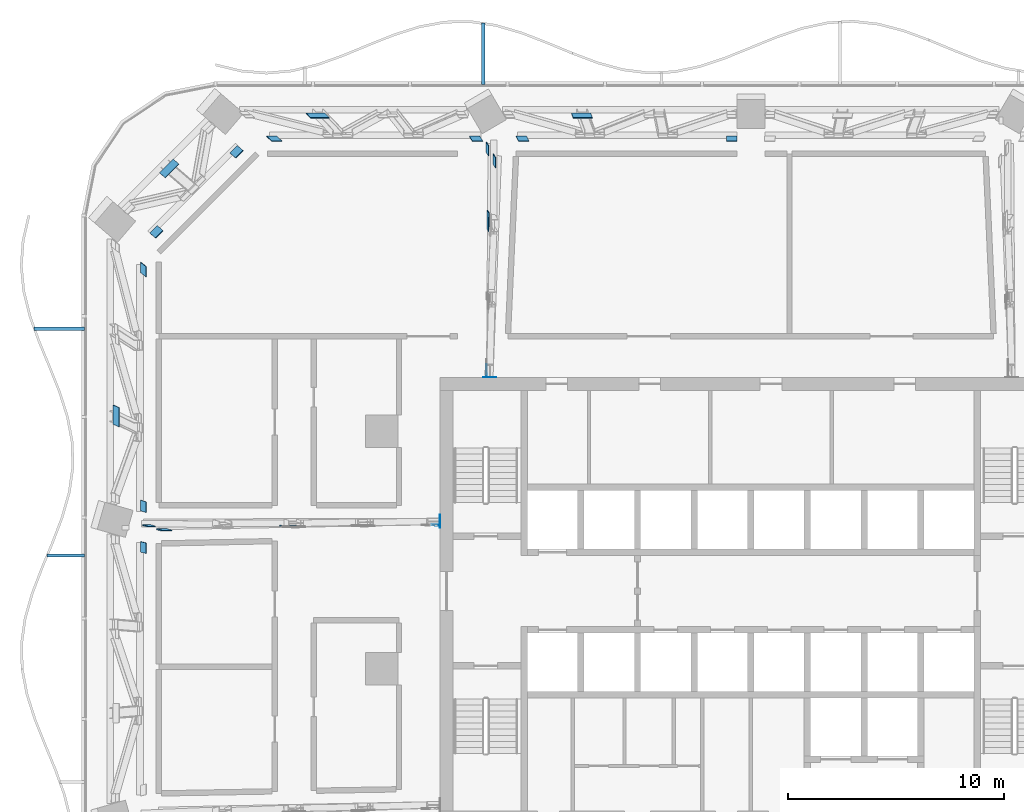
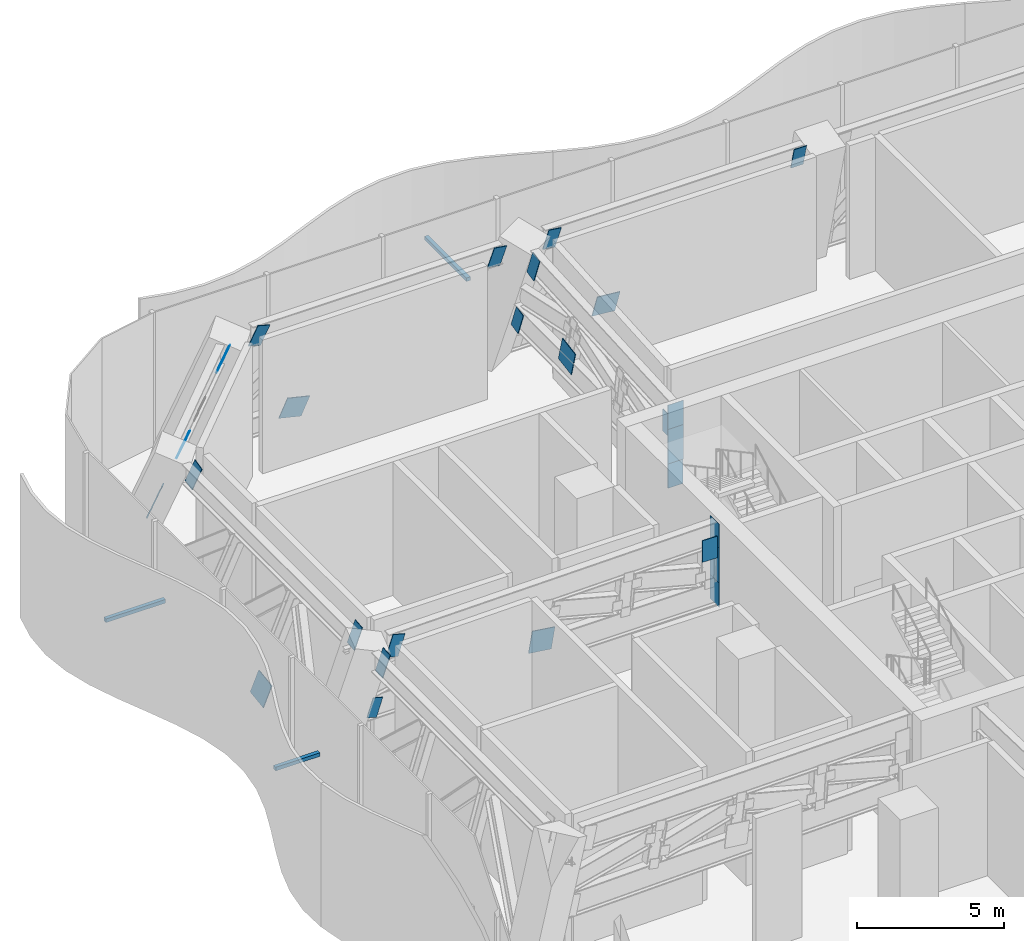
# One storey, part 17 of 32: 30 discrete accessories.
"""IFC4 building model written with IfcOpenShell, lengths in metres."""

from ifc_helpers import new_model, si_unit, direction, frame, origin, origin_2d, place, context, subcontext, project, spatial, rectangle, extrude, material, layer, layer_set, type_object, element, save


model = new_model("IFC4")

# Units and contexts
model_context = context("Model", 3, precision=1e-05, world=origin(), true_north=direction((0.0, 1.0)))
body_context = subcontext(model_context, "Body", "Model", "MODEL_VIEW")
ifc_project = project(units=[si_unit("LENGTHUNIT", "METRE"), si_unit("AREAUNIT", "SQUARE_METRE"), si_unit("VOLUMEUNIT", "CUBIC_METRE"), si_unit("PLANEANGLEUNIT", "RADIAN"), si_unit("MASSUNIT", "GRAM", prefix="KILO")], contexts=[model_context])

# Site, building, storey
site_placement = place(None, origin())
site = spatial("IfcSite", under=ifc_project, at=site_placement, CompositionType="ELEMENT")
building_placement = place(site_placement, origin())
building = spatial("IfcBuilding", under=site, at=building_placement, Name="Mopane Tessera Tower", CompositionType="ELEMENT")
storey_placement = place(building_placement, frame((0.0, 0.0, 88.60009765625)))
storey = spatial("IfcBuildingStorey", under=building, at=storey_placement, Name="L17", CompositionType="ELEMENT", Elevation=88.60009765625)

# Discrete accessories
ifc_material_1 = material(Name="Structural steel S460", Category="steel")
ifc_layer_1 = layer(ifc_material_1, 0.014892578125)
ifc_layer_set_1 = layer_set([ifc_layer_1], Name="Structural steel S460")
discrete_accessory_type_1 = type_object("IfcDiscreteAccessoryType", Name="Cast-in anchor plate 15 mm", PredefinedType="ANCHORPLATE", material=ifc_layer_set_1)
discrete_accessory_1_placement = place(storey_placement, frame((-14.407470703125, 6.824951171875, 2.099853515625), z_axis=(0.0, 0.0, 1.0), x_axis=(-1.0, 0.0, 0.0)))
element("IfcDiscreteAccessory", 1, at=discrete_accessory_1_placement, inside=storey, type_object=discrete_accessory_type_1, Name="Cast-in anchor plate s ot L17 W1 b", PredefinedType="ANCHORPLATE", context=body_context, shape_type="SweptSolid", body=[
    extrude(rectangle(XDim=0.014892578125, YDim=0.60205078125, at=origin_2d()), origin(), (0.0, 0.0, 1.0), 1.008056640625),
])
discrete_accessory_2_placement = place(storey_placement, frame((-14.407470703125, 6.82470703125, 4.5419921875), z_axis=(0.0, 0.0, 1.0), x_axis=(-1.0, 0.0, 0.0)))
element("IfcDiscreteAccessory", 2, at=discrete_accessory_2_placement, inside=storey, type_object=discrete_accessory_type_1, Name="Cast-in anchor plate s ot L17 W1 t", PredefinedType="ANCHORPLATE", context=body_context, shape_type="SweptSolid", body=[
    extrude(rectangle(XDim=0.014892578125, YDim=0.60205078125, at=origin_2d()), origin(), (0.0, 0.0, 1.0), 1.0078125),
])
discrete_accessory_3_placement = place(storey_placement, frame((-14.407470703125, 6.824951171875, 3.10791015625), z_axis=(0.0, 0.0, 1.0), x_axis=(-1.0, 0.0, 0.0)))
element("IfcDiscreteAccessory", 3, at=discrete_accessory_3_placement, inside=storey, type_object=discrete_accessory_type_1, Name="Cast-in anchor plate s ot L17 W1 p", PredefinedType="ANCHORPLATE", context=body_context, shape_type="SweptSolid", body=[
    extrude(rectangle(XDim=0.014892578125, YDim=0.60205078125, at=origin_2d()), origin(), (0.0, 0.0, 1.0), 1.43408203125),
])
discrete_accessory_4_placement = place(storey_placement, frame((-12.093505859375, 13.507568359375, 2.099853515625), z_axis=(0.0, 0.0, 1.0), x_axis=(0.0, 1.0, 0.0)))
element("IfcDiscreteAccessory", 4, at=discrete_accessory_4_placement, inside=storey, type_object=discrete_accessory_type_1, Name="Cast-in anchor plate s ot L17 N3 b", PredefinedType="ANCHORPLATE", context=body_context, shape_type="SweptSolid", body=[
    extrude(rectangle(XDim=0.014892578125, YDim=0.60205078125, at=origin_2d()), origin(), (0.0, 0.0, 1.0), 1.008056640625),
])
discrete_accessory_5_placement = place(storey_placement, frame((-12.093017578125, 13.507568359375, 4.5419921875), z_axis=(0.0, 0.0, 1.0), x_axis=(0.0, 1.0, 0.0)))
element("IfcDiscreteAccessory", 5, at=discrete_accessory_5_placement, inside=storey, type_object=discrete_accessory_type_1, Name="Cast-in anchor plate s ot L17 N3 t", PredefinedType="ANCHORPLATE", context=body_context, shape_type="SweptSolid", body=[
    extrude(rectangle(XDim=0.014892578125, YDim=0.60205078125, at=origin_2d()), origin(), (0.0, 0.0, 1.0), 1.0078125),
])
discrete_accessory_6_placement = place(storey_placement, frame((-12.09326171875, 13.507568359375, 3.10791015625), z_axis=(0.0, 0.0, 1.0), x_axis=(0.0, 1.0, 0.0)))
element("IfcDiscreteAccessory", 6, at=discrete_accessory_6_placement, inside=storey, type_object=discrete_accessory_type_1, Name="Cast-in anchor plate s ot L17 N3 p", PredefinedType="ANCHORPLATE", context=body_context, shape_type="SweptSolid", body=[
    extrude(rectangle(XDim=0.014892578125, YDim=0.60205078125, at=origin_2d()), origin(), (0.0, 0.0, 1.0), 1.43408203125),
])
ifc_material_2 = material(Name="Stainless steel S316", Category="steel")
discrete_accessory_type_2 = type_object("IfcDiscreteAccessoryType", Name="Louvre bracket 150 x 150", PredefinedType="BRACKET", material=ifc_material_2)
discrete_accessory_7_placement = place(storey_placement, frame((-12.39990234375, 28.490234375, 2.489990234375), z_axis=(0.0, 0.0, 1.0), x_axis=(0.0, 1.0, 0.0)))
element("IfcDiscreteAccessory", 7, at=discrete_accessory_7_placement, inside=storey, type_object=discrete_accessory_type_2, Name="e:lv:L17:N:2:br0", PredefinedType="BRACKET", context=body_context, shape_type="SweptSolid", body=[
    extrude(rectangle(XDim=2.8603515625, YDim=0.14990234375, at=origin_2d()), origin(), (0.0, 0.0, 1.0), 0.14990234375),
])
discrete_accessory_8_placement = place(storey_placement, frame((-32.030029296875, 15.75, 2.489990234375), z_axis=(0.0, 0.0, 1.0), x_axis=(-1.0, 0.0, 0.0)))
element("IfcDiscreteAccessory", 8, at=discrete_accessory_8_placement, inside=storey, type_object=discrete_accessory_type_2, Name="e:lv:L17:W:0:br0", PredefinedType="BRACKET", context=body_context, shape_type="SweptSolid", body=[
    extrude(rectangle(XDim=2.340087890625, YDim=0.14990234375, at=origin_2d()), origin(), (0.0, 0.0, 1.0), 0.14990234375),
])
discrete_accessory_9_placement = place(storey_placement, frame((-31.72998046875, 5.25, 2.489990234375), z_axis=(0.0, 0.0, 1.0), x_axis=(-1.0, 0.0, 0.0)))
element("IfcDiscreteAccessory", 9, at=discrete_accessory_9_placement, inside=storey, type_object=discrete_accessory_type_2, Name="e:lv:L17:W:0:br1", PredefinedType="BRACKET", context=body_context, shape_type="SweptSolid", body=[
    extrude(rectangle(XDim=1.739990234375, YDim=0.14990234375, at=origin_2d()), origin(), (0.0, 0.0, 1.0), 0.14990234375),
])
ifc_material_3 = material(Name="Structural steel S460", Category="steel")
ifc_layer_2 = layer(ifc_material_3, 0.030029296875)
ifc_layer_set_2 = layer_set([ifc_layer_2], Name="Structural steel S460")
discrete_accessory_type_3 = type_object("IfcDiscreteAccessoryType", Name="Truss node plate 30 mm", PredefinedType="BRACKET", material=ifc_layer_set_2)
discrete_accessory_10_placement = place(storey_placement, frame((-14.705810546875, 6.655517578125, 4.091796875), z_axis=(0.006238001369, -0.001898522156, 0.99997874125), x_axis=(-0.014283296331, -0.999896351632, -0.001809264618)))
element("IfcDiscreteAccessory", 10, at=discrete_accessory_10_placement, inside=storey, type_object=discrete_accessory_type_3, Name="Truss node plate s ot L17 W1 1", PredefinedType="BRACKET", context=body_context, shape_type="SweptSolid", body=[
    extrude(rectangle(XDim=0.030029296875, YDim=0.590087890625, at=origin_2d()), origin(), (0.0, 0.0, 1.0), 0.900146484375),
])
discrete_accessory_11_placement = place(storey_placement, frame((-21.39013671875, 6.63671875, 2.657958984375), z_axis=(0.138002610559, -0.039467672669, 0.989645179998), x_axis=(-0.002885348762, -0.999217495531, -0.039447070694)))
element("IfcDiscreteAccessory", 11, at=discrete_accessory_11_placement, inside=storey, type_object=discrete_accessory_type_3, Name="Truss node plate s ot L17 W1 8", PredefinedType="BRACKET", context=body_context, shape_type="SweptSolid", body=[
    extrude(rectangle(XDim=0.030029296875, YDim=0.89990234375, at=origin_2d()), origin(), (0.0, 0.0, 1.0), 0.909423828125),
])
discrete_accessory_12_placement = place(storey_placement, frame((-27.29736328125, 6.46826171875, 4.595947265625), z_axis=(0.257710050405, -0.073706119893, 0.963406942995), x_axis=(-0.016615795099, -0.997276847673, -0.071852657915)))
element("IfcDiscreteAccessory", 12, at=discrete_accessory_12_placement, inside=storey, type_object=discrete_accessory_type_3, Name="Truss node plate s ot L17 W1 15", PredefinedType="BRACKET", context=body_context, shape_type="SweptSolid", body=[
    extrude(rectangle(XDim=0.030029296875, YDim=0.489990234375, at=origin_2d()), origin(), (0.0, 0.0, 1.0), 0.93408203125),
])
discrete_accessory_13_placement = place(storey_placement, frame((-27.98779296875, 6.65087890625, 2.2060546875), z_axis=(0.25887088847, -0.073878678216, 0.963082449226), x_axis=(-0.016199098136, -0.997262494, -0.072146429436)))
element("IfcDiscreteAccessory", 13, at=discrete_accessory_13_placement, inside=storey, type_object=discrete_accessory_type_3, Name="Truss node plate s ot L17 W1 16", PredefinedType="BRACKET", context=body_context, shape_type="SweptSolid", body=[
    extrude(rectangle(XDim=0.030029296875, YDim=0.388916015625, at=origin_2d()), origin(), (0.0, 0.0, 1.0), 0.826171875),
])
discrete_accessory_14_placement = place(storey_placement, frame((-12.251953125, 13.807373046875, 4.091796875), z_axis=(0.004068221064, -0.00678036844, 0.999968737602), x_axis=(-0.999972866788, -0.006168768859, 0.00402641003)))
element("IfcDiscreteAccessory", 14, at=discrete_accessory_14_placement, inside=storey, type_object=discrete_accessory_type_3, Name="Truss node plate s ot L17 N3 1", PredefinedType="BRACKET", context=body_context, shape_type="SweptSolid", body=[
    extrude(rectangle(XDim=0.030029296875, YDim=0.590087890625, at=origin_2d()), origin(), (0.0, 0.0, 1.0), 0.900146484375),
])
discrete_accessory_15_placement = place(storey_placement, frame((-12.209228515625, 20.8173828125, 2.657958984375), z_axis=(0.088661982603, -0.152220873746, 0.984361650227), x_axis=(-0.996038688009, -0.006821198286, 0.088658915192)))
element("IfcDiscreteAccessory", 15, at=discrete_accessory_15_placement, inside=storey, type_object=discrete_accessory_type_3, Name="Truss node plate s ot L17 N3 8", PredefinedType="BRACKET", context=body_context, shape_type="SweptSolid", body=[
    extrude(rectangle(XDim=0.030029296875, YDim=0.89990234375, at=origin_2d()), origin(), (0.0, 0.0, 1.0), 0.914306640625),
])
discrete_accessory_16_placement = place(storey_placement, frame((-12.24658203125, 24.169921875, 2.2001953125), z_axis=(0.125895823398, -0.216072366669, 0.968226716226), x_axis=(-0.992021933194, -0.020989456979, 0.124305779263)))
element("IfcDiscreteAccessory", 16, at=discrete_accessory_16_placement, inside=storey, type_object=discrete_accessory_type_3, Name="Truss node plate s ot L17 N3 11", PredefinedType="BRACKET", context=body_context, shape_type="SweptSolid", body=[
    extrude(rectangle(XDim=0.030029296875, YDim=0.489990234375, at=origin_2d()), origin(), (0.0, 0.0, 1.0), 0.833984375),
])
discrete_accessory_17_placement = place(storey_placement, frame((-11.9345703125, 23.63525390625, 4.595947265625), z_axis=(0.126078850287, -0.216172695387, 0.968180504493), x_axis=(-0.992001241194, -0.021435961029, 0.124394682541)))
element("IfcDiscreteAccessory", 17, at=discrete_accessory_17_placement, inside=storey, type_object=discrete_accessory_type_3, Name="Truss node plate s ot L17 N3 12", PredefinedType="BRACKET", context=body_context, shape_type="SweptSolid", body=[
    extrude(rectangle(XDim=0.030029296875, YDim=0.489990234375, at=origin_2d()), origin(), (0.0, 0.0, 1.0), 0.929443359375),
])
discrete_accessory_18_placement = place(storey_placement, frame((-0.890380859375, 24.66015625, 4.69287109375), z_axis=(0.010524927378, -0.242336452874, 0.970135181051), x_axis=(-0.003565364544, -0.970191846033, -0.242311927208)))
element("IfcDiscreteAccessory", 18, at=discrete_accessory_18_placement, inside=storey, type_object=discrete_accessory_type_3, Name="Truss node plate s bt L17 N2-N3 2", PredefinedType="BRACKET", context=body_context, shape_type="SweptSolid", body=[
    extrude(rectangle(XDim=0.030029296875, YDim=0.489990234375, at=origin_2d()), origin(), (0.0, 0.0, 1.0), 0.927978515625),
])
discrete_accessory_19_placement = place(storey_placement, frame((-7.866943359375, 25.742431640625, 0.364013671875), z_axis=(0.08991362867, -0.241429889229, 0.966243834633), x_axis=(-0.021710070728, -0.970418051904, -0.240452650989)))
element("IfcDiscreteAccessory", 19, at=discrete_accessory_19_placement, inside=storey, type_object=discrete_accessory_type_3, Name="Truss node plate s bt L17 N2-N3 8", PredefinedType="BRACKET", context=body_context, shape_type="SweptSolid", body=[
    extrude(rectangle(XDim=0.030029296875, YDim=0.89990234375, at=origin_2d()), origin(), (0.0, 0.0, 1.0), 0.931396484375),
])
discrete_accessory_20_placement = place(storey_placement, frame((-10.633056640625, 24.66015625, 4.69287109375), z_axis=(0.127365427573, -0.240376145072, 0.962287564473), x_axis=(-0.031229233069, -0.970679770091, -0.238339083948)))
element("IfcDiscreteAccessory", 20, at=discrete_accessory_20_placement, inside=storey, type_object=discrete_accessory_type_3, Name="Truss node plate s bt L17 N2-N3 11", PredefinedType="BRACKET", context=body_context, shape_type="SweptSolid", body=[
    extrude(rectangle(XDim=0.030029296875, YDim=0.489990234375, at=origin_2d()), origin(), (0.0, 0.0, 1.0), 0.935302734375),
])
discrete_accessory_21_placement = place(storey_placement, frame((-12.7978515625, 24.66015625, 4.69287109375), z_axis=(0.152651582269, -0.239509552419, 0.958818371085), x_axis=(-0.037595840939, -0.970894005861, -0.236540445014)))
element("IfcDiscreteAccessory", 21, at=discrete_accessory_21_placement, inside=storey, type_object=discrete_accessory_type_3, Name="Truss node plate s bt L17 N3-N4 2", PredefinedType="BRACKET", context=body_context, shape_type="SweptSolid", body=[
    extrude(rectangle(XDim=0.030029296875, YDim=0.489990234375, at=origin_2d()), origin(), (0.0, 0.0, 1.0), 0.938720703125),
])
discrete_accessory_22_placement = place(storey_placement, frame((-20.173828125, 25.742431640625, 0.364013671875), z_axis=(0.225159879254, -0.236187071518, 0.945261178734), x_axis=(-0.054652752513, -0.971707600856, -0.229776881086)))
element("IfcDiscreteAccessory", 22, at=discrete_accessory_22_placement, inside=storey, type_object=discrete_accessory_type_3, Name="Truss node plate s bt L17 N3-N4 8", PredefinedType="BRACKET", context=body_context, shape_type="SweptSolid", body=[
    extrude(rectangle(XDim=0.030029296875, YDim=0.89990234375, at=origin_2d()), origin(), (0.0, 0.0, 1.0), 0.951904296875),
])
discrete_accessory_23_placement = place(storey_placement, frame((-22.19580078125, 24.66015625, 4.69287109375), z_axis=(0.258751493539, -0.23409639052, 0.937148091038), x_axis=(-0.062275867756, -0.972213391772, -0.225660889733)))
element("IfcDiscreteAccessory", 23, at=discrete_accessory_23_placement, inside=storey, type_object=discrete_accessory_type_3, Name="Truss node plate s bt L17 N3-N4 11", PredefinedType="BRACKET", context=body_context, shape_type="SweptSolid", body=[
    extrude(rectangle(XDim=0.030029296875, YDim=0.489990234375, at=origin_2d()), origin(), (0.0, 0.0, 1.0), 0.96044921875),
])
discrete_accessory_24_placement = place(storey_placement, frame((-23.959228515625, 24.0634765625, 4.69287109375), z_axis=(0.272176513919, -0.233438833334, 0.93350214588), x_axis=(0.652722450227, -0.668017089592, -0.357360561594)))
element("IfcDiscreteAccessory", 24, at=discrete_accessory_24_placement, inside=storey, type_object=discrete_accessory_type_3, Name="Truss node plate s bt L17 N4-W0 2", PredefinedType="BRACKET", context=body_context, shape_type="SweptSolid", body=[
    extrude(rectangle(XDim=0.030029296875, YDim=0.489990234375, at=origin_2d()), origin(), (0.0, 0.0, 1.0), 0.96435546875),
])
discrete_accessory_25_placement = place(storey_placement, frame((-27.076171875, 23.291259765625, 0.364013671875), z_axis=(0.272240857205, -0.233494018924, 0.933469581077), x_axis=(0.652697815177, -0.66799596074, -0.357445042626)))
element("IfcDiscreteAccessory", 25, at=discrete_accessory_25_placement, inside=storey, type_object=discrete_accessory_type_3, Name="Truss node plate s bt L17 N4-W0 4", PredefinedType="BRACKET", context=body_context, shape_type="SweptSolid", body=[
    extrude(rectangle(XDim=0.030029296875, YDim=0.89990234375, at=origin_2d()), origin(), (0.0, 0.0, 1.0), 0.964111328125),
])
discrete_accessory_26_placement = place(storey_placement, frame((-27.66796875, 20.354736328125, 4.69287109375), z_axis=(0.272410920996, -0.233422740854, 0.933437793414), x_axis=(0.652980594752, -0.667675400185, -0.357527485469)))
element("IfcDiscreteAccessory", 26, at=discrete_accessory_26_placement, inside=storey, type_object=discrete_accessory_type_3, Name="Truss node plate s bt L17 N4-W0 8", PredefinedType="BRACKET", context=body_context, shape_type="SweptSolid", body=[
    extrude(rectangle(XDim=0.030029296875, YDim=0.489990234375, at=origin_2d()), origin(), (0.0, 0.0, 1.0), 0.96435546875),
])
discrete_accessory_27_placement = place(storey_placement, frame((-28.2646484375, 18.5986328125, 4.69287109375), z_axis=(0.273084719134, -0.219483904495, 0.936617078556), x_axis=(0.961989961414, 0.062532969731, -0.265828782933)))
element("IfcDiscreteAccessory", 27, at=discrete_accessory_27_placement, inside=storey, type_object=discrete_accessory_type_3, Name="Truss node plate s bt L17 W0-W1 2", PredefinedType="BRACKET", context=body_context, shape_type="SweptSolid", body=[
    extrude(rectangle(XDim=0.030029296875, YDim=0.489990234375, at=origin_2d()), origin(), (0.0, 0.0, 1.0), 0.961181640625),
])
discrete_accessory_28_placement = place(storey_placement, frame((-29.52734375, 11.77587890625, 0.364013671875), z_axis=(0.27745671036, -0.133953518769, 0.951353892453), x_axis=(0.960738139494, 0.038649490285, -0.274751604584)))
element("IfcDiscreteAccessory", 28, at=discrete_accessory_28_placement, inside=storey, type_object=discrete_accessory_type_3, Name="Truss node plate s bt L17 W0-W1 8", PredefinedType="BRACKET", context=body_context, shape_type="SweptSolid", body=[
    extrude(rectangle(XDim=0.030029296875, YDim=0.89990234375, at=origin_2d()), origin(), (0.0, 0.0, 1.0), 0.94580078125),
])
discrete_accessory_29_placement = place(storey_placement, frame((-28.2646484375, 7.569091796875, 4.69287109375), z_axis=(0.278741674424, -0.091271692462, 0.956019119628), x_axis=(0.960366097739, 0.026291107482, -0.277499073837)))
element("IfcDiscreteAccessory", 29, at=discrete_accessory_29_placement, inside=storey, type_object=discrete_accessory_type_3, Name="Truss node plate s bt L17 W0-W1 11", PredefinedType="BRACKET", context=body_context, shape_type="SweptSolid", body=[
    extrude(rectangle(XDim=0.030029296875, YDim=0.489990234375, at=origin_2d()), origin(), (0.0, 0.0, 1.0), 0.941650390625),
])
discrete_accessory_30_placement = place(storey_placement, frame((-28.2646484375, 5.64892578125, 4.69287109375), z_axis=(0.27925598399, -0.0683203012, 0.957783081835), x_axis=(0.960216603868, 0.019442196798, -0.278578668674)))
element("IfcDiscreteAccessory", 30, at=discrete_accessory_30_placement, inside=storey, type_object=discrete_accessory_type_3, Name="Truss node plate s bt L17 W1-W2 2", PredefinedType="BRACKET", context=body_context, shape_type="SweptSolid", body=[
    extrude(rectangle(XDim=0.030029296875, YDim=0.489990234375, at=origin_2d()), origin(), (0.0, 0.0, 1.0), 0.93994140625),
])

save(model, "model.ifc")
